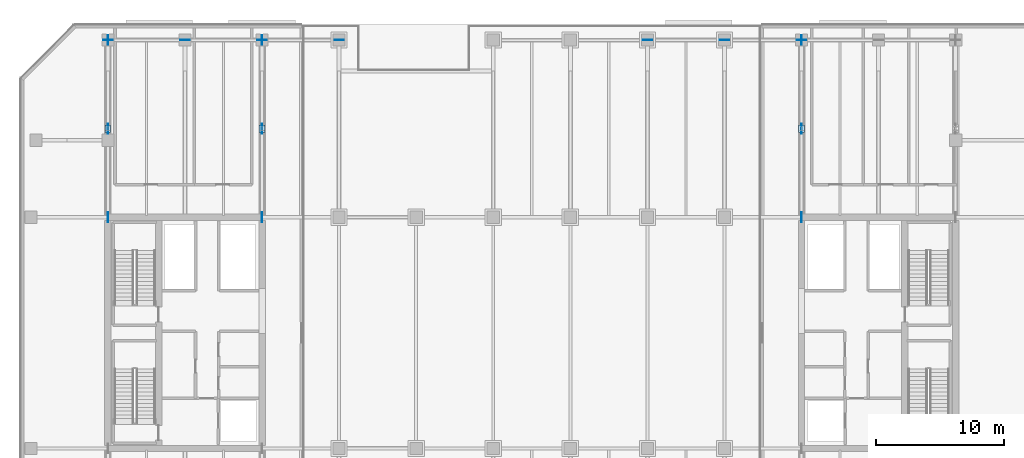
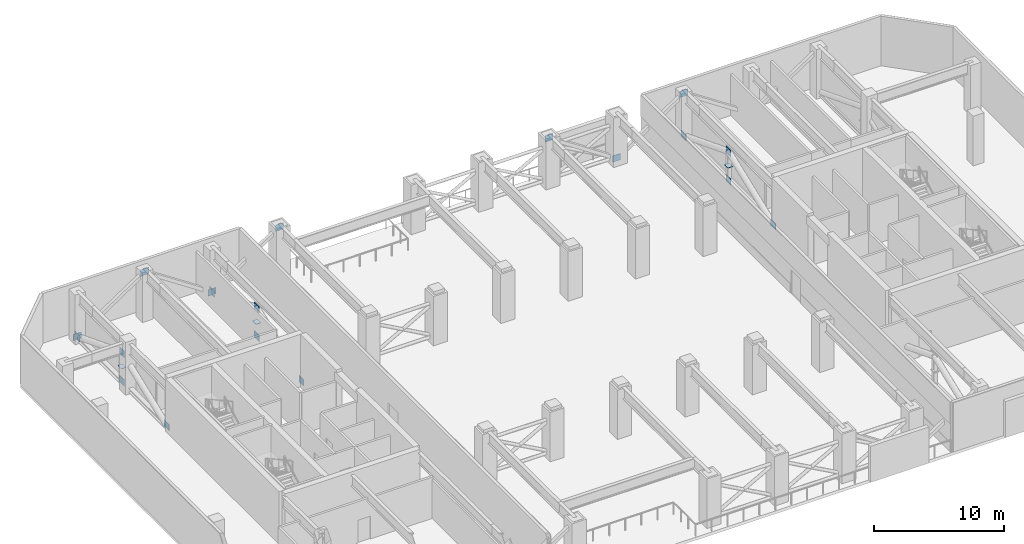
# One storey, part 11 of 21: 22 plates.
"""IFC4 building model written with IfcOpenShell, lengths in metres."""

from ifc_helpers import new_model, si_unit, direction, frame, origin, origin_2d, place, context, subcontext, project, spatial, rectangle, extrude, material, layer, layer_set, type_object, element, save


model = new_model("IFC4")

# Units and contexts
model_context = context("Model", 3, precision=1e-05, world=origin(), true_north=direction((0.0, 1.0)))
body_context = subcontext(model_context, "Body", "Model", "MODEL_VIEW")
ifc_project = project(units=[si_unit("LENGTHUNIT", "METRE"), si_unit("AREAUNIT", "SQUARE_METRE"), si_unit("VOLUMEUNIT", "CUBIC_METRE"), si_unit("PLANEANGLEUNIT", "RADIAN"), si_unit("MASSUNIT", "GRAM", prefix="KILO")], contexts=[model_context])

# Site, building, storey
site_placement = place(None, origin())
site = spatial("IfcSite", under=ifc_project, at=site_placement, CompositionType="ELEMENT")
building_placement = place(site_placement, origin())
building = spatial("IfcBuilding", under=site, at=building_placement, Name="Tanjung Sevakor Pilgrim Tower", CompositionType="ELEMENT")
storey_placement = place(building_placement, frame((0.0, 0.0, 123.090087890625)))
storey = spatial("IfcBuildingStorey", under=building, at=storey_placement, Name="L34", CompositionType="ELEMENT", Elevation=123.090087890625)

# Plates
ifc_material_1 = material(Name="Steel S460M", Category="steel")
ifc_layer_1 = layer(ifc_material_1, 0.028076171875)
ifc_layer_set_1 = layer_set([ifc_layer_1], Name="PL-CAP-28")
plate_type_1 = type_object("IfcPlateType", Name="PL-CAP-28", PredefinedType="USERDEFINED", material=ifc_layer_set_1)
for number, where, z_axis, x_axis, name in (
    (1, (24.0, 49.5, 1.6806640625), (0.0, 0.0, 1.0), (1.0, 0.0, 0.0), "L34 Hollow End Cap Plate 010"),
    (2, (36.0, 49.5, 1.6806640625), (0.0, 0.0, 1.0), (1.0, 0.0, 0.0), "L34 Hollow End Cap Plate 012"),
    (3, (78.0, 49.5, 1.6806640625), (0.0, 0.0, 1.0), (1.0, 0.0, 0.0), "L34 Hollow End Cap Plate 014"),
):
    element("IfcPlate", number, at=place(storey_placement, frame(where, z_axis=z_axis, x_axis=x_axis)), inside=storey, type_object=plate_type_1, Name=name, ObjectType="CAP PLATE", PredefinedType="USERDEFINED", context=body_context, shape_type="SweptSolid", body=[
        extrude(rectangle(XDim=0.43994140625, YDim=0.56005859375, at=origin_2d()), origin(), (0.0, 0.0, 1.0), 0.028076171875),
    ])
ifc_material_2 = material(Name="Steel S460M", Category="steel")
ifc_layer_2 = layer(ifc_material_2, 0.031982421875)
ifc_layer_set_2 = layer_set([ifc_layer_2], Name="PL-GUSSET-32")
plate_type_2 = type_object("IfcPlateType", Name="PL-GUSSET-32", PredefinedType="USERDEFINED", material=ifc_layer_set_2)
for number, where, z_axis, x_axis, name in (
    (4, (24.0, 42.60009765625, 0.0498046875), (0.0, 0.0, 1.0), (1.0, 0.0, 0.0), "L34 Core Wall Cast-In Embed Plate 055"),
    (5, (24.0, 49.5, 0.0498046875), (0.0, 0.0, 1.0), (1.0, 0.0, 0.0), "L34 Outrigger Gusset 056"),
    (6, (24.0, 56.39990234375, 0.0498046875), (0.0, 0.0, 1.0), (1.0, 0.0, 0.0), "L34 Outrigger Gusset 057"),
    (7, (24.0, 49.5, 2.73974609375), (0.0, 0.0, 1.0), (1.0, 0.0, 0.0), "L34 Outrigger Gusset 058"),
    (8, (36.0, 42.60009765625, 0.0498046875), (0.0, 0.0, 1.0), (1.0, 0.0, 0.0), "L34 Core Wall Cast-In Embed Plate 063"),
    (9, (36.0, 49.5, 0.0498046875), (0.0, 0.0, 1.0), (1.0, 0.0, 0.0), "L34 Outrigger Gusset 064"),
    (10, (36.0, 56.39990234375, 0.0498046875), (0.0, 0.0, 1.0), (1.0, 0.0, 0.0), "L34 Outrigger Gusset 065"),
    (11, (36.0, 49.5, 2.73974609375), (0.0, 0.0, 1.0), (1.0, 0.0, 0.0), "L34 Outrigger Gusset 066"),
    (12, (78.0, 42.60009765625, 0.0498046875), (0.0, 0.0, 1.0), (1.0, 0.0, 0.0), "L34 Core Wall Cast-In Embed Plate 071"),
    (13, (78.0, 49.5, 0.0498046875), (0.0, 0.0, 1.0), (1.0, 0.0, 0.0), "L34 Outrigger Gusset 072"),
    (14, (78.0, 56.39990234375, 0.0498046875), (0.0, 0.0, 1.0), (1.0, 0.0, 0.0), "L34 Outrigger Gusset 073"),
    (15, (78.0, 49.5, 2.73974609375), (0.0, 0.0, 1.0), (1.0, 0.0, 0.0), "L34 Outrigger Gusset 074"),
):
    element("IfcPlate", number, at=place(storey_placement, frame(where, z_axis=z_axis, x_axis=x_axis)), inside=storey, type_object=plate_type_2, Name=name, ObjectType="GUSSET PLATE", PredefinedType="USERDEFINED", context=body_context, shape_type="SweptSolid", body=[
        extrude(rectangle(XDim=0.031982421875, YDim=0.760009765625, at=origin_2d()), origin(), (0.0, 0.0, 1.0), 0.60009765625),
    ])
for number, where, z_axis, x_axis, name in (
    (16, (24.0, 56.39990234375, 0.0498046875), (0.0, 0.0, 1.0), (1.0, 0.0, 0.0), "L34 Belt Truss Node Gusset 092"),
    (17, (30.0, 56.39990234375, 4.035888671875), (0.0, 0.0, 1.0), (1.0, 0.0, 0.0), "L34 Belt Truss Node Gusset 093"),
    (18, (36.0, 56.39990234375, 0.0498046875), (0.0, 0.0, 1.0), (1.0, 0.0, 0.0), "L34 Belt Truss Node Gusset 094"),
    (19, (42.0, 56.39990234375, 4.035888671875), (0.0, 0.0, 1.0), (1.0, 0.0, 0.0), "L34 Belt Truss Node Gusset 095"),
    (20, (66.0, 56.39990234375, 4.035888671875), (0.0, 0.0, 1.0), (1.0, 0.0, 0.0), "L34 Belt Truss Node Gusset 096"),
    (21, (72.0, 56.39990234375, 0.0498046875), (0.0, 0.0, 1.0), (1.0, 0.0, 0.0), "L34 Belt Truss Node Gusset 097"),
    (22, (78.0, 56.39990234375, 4.035888671875), (0.0, 0.0, 1.0), (1.0, 0.0, 0.0), "L34 Belt Truss Node Gusset 098"),
):
    element("IfcPlate", number, at=place(storey_placement, frame(where, z_axis=z_axis, x_axis=x_axis)), inside=storey, type_object=plate_type_2, Name=name, ObjectType="GUSSET PLATE", PredefinedType="USERDEFINED", context=body_context, shape_type="SweptSolid", body=[
        extrude(rectangle(XDim=0.719970703125, YDim=0.031982421875, at=origin_2d()), origin(), (0.0, 0.0, 1.0), 0.60009765625),
    ])

save(model, "model.ifc")
